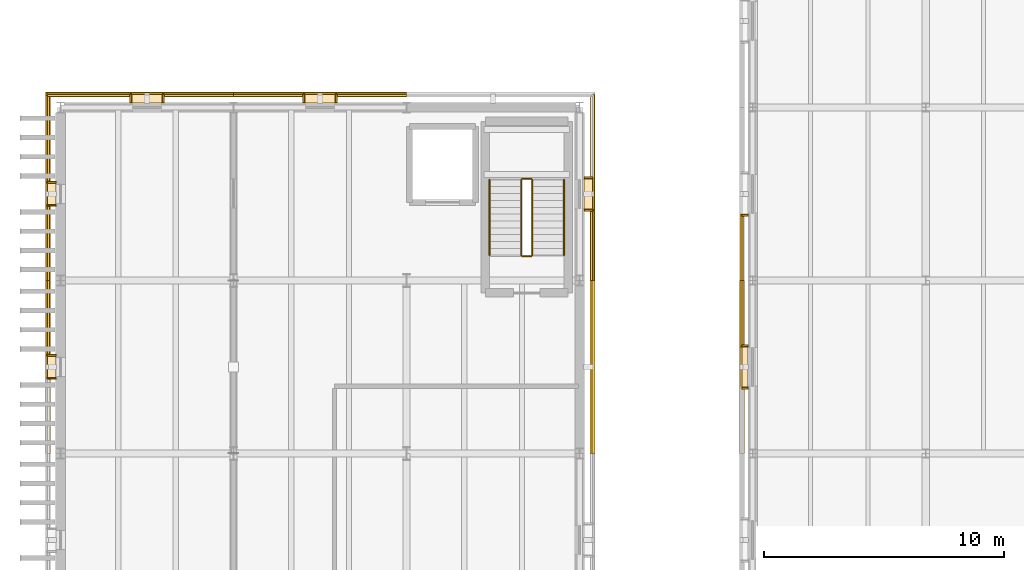
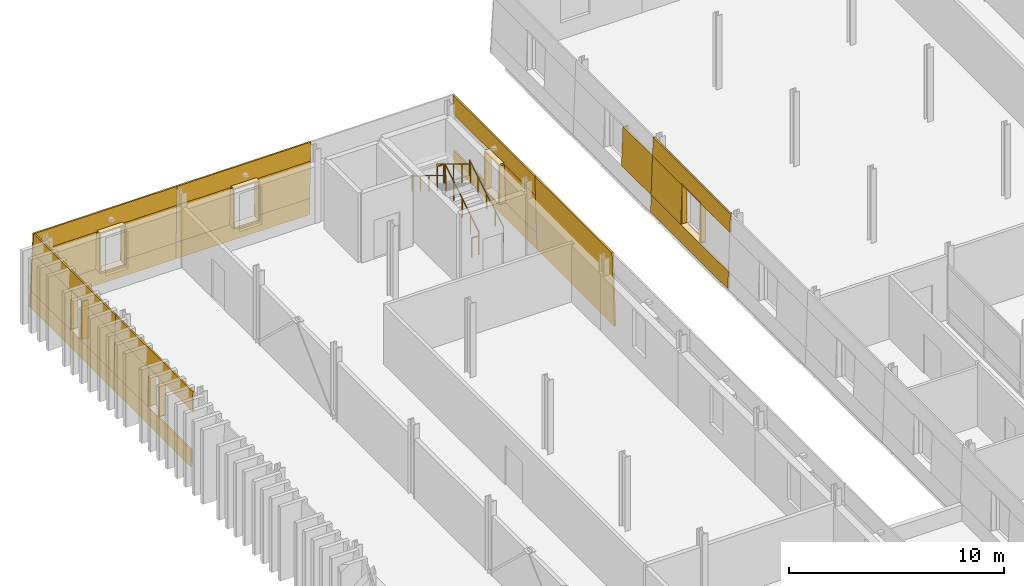
# One storey, part 83 of 91: 48 coverings, 6 railings.
"""IFC4 building model written with IfcOpenShell, lengths in metres."""

from ifc_helpers import new_model, si_unit, direction, frame, origin, origin_2d, place, context, subcontext, project, spatial, polyline, circle, outline, extrude, material, layer, layer_set, type_object, element, save


model = new_model("IFC4")

# Units and contexts
model_context = context("Model", 3, precision=1e-05, world=origin(), true_north=direction((0.0, 1.0)))
body_context = subcontext(model_context, "Body", "Model", "MODEL_VIEW")
ifc_project = project(units=[si_unit("LENGTHUNIT", "METRE"), si_unit("AREAUNIT", "SQUARE_METRE"), si_unit("VOLUMEUNIT", "CUBIC_METRE"), si_unit("PLANEANGLEUNIT", "RADIAN"), si_unit("MASSUNIT", "GRAM", prefix="KILO")], contexts=[model_context])

# Site, building, storey
site_placement = place(None, origin())
site = spatial("IfcSite", under=ifc_project, at=site_placement, CompositionType="ELEMENT")
building_placement = place(site_placement, origin())
building = spatial("IfcBuilding", under=site, at=building_placement, Name="Narikvali Park Central Library", CompositionType="ELEMENT")
storey_placement = place(building_placement, frame((0.0, 0.0, 14.39990234375)))
storey = spatial("IfcBuildingStorey", under=building, at=storey_placement, Name="L03", CompositionType="ELEMENT", Elevation=14.39990234375)

# Coverings
ifc_material_1 = material(Name="White Honed Limestone Cladding", Category="masonry")
ifc_layer_1 = layer(ifc_material_1, 0.0849609375, Name="White Honed Limestone Cladding")
ifc_layer_set_1 = layer_set([ifc_layer_1], Name="White Honed Limestone Cladding")
covering_type_1 = type_object("IfcCoveringType", Name="Battered White Limestone Facade Cladding Panel", PredefinedType="CLADDING", material=ifc_layer_set_1)
covering_1_placement = place(storey_placement, frame((28.277099609375, 103.56005859375, 0.9501953125), z_axis=(-0.999431408105, 0.0, 0.033717361898), x_axis=(0.0, -1.0, 0.0)))
element("IfcCovering", 1, at=covering_1_placement, inside=storey, type_object=covering_type_1, Name="V4 L03 W Battered Limestone Jamb Pier R B02", PredefinedType="CLADDING", context=body_context, shape_type="SweptSolid", body=[
    extrude(outline(polyline([(0.0, 0.0), (2.760009765625, 0.0), (2.760009765625, 2.2012027579225295), (0.0, 2.2012027579225295), (0.0, 0.0)])), origin(), (0.0, 0.0, -1.0), 0.0849609375),
])
covering_2_placement = place(storey_placement, frame((28.2451171875, 100.800048828125, 0.0), z_axis=(-0.999434023877, 0.0, 0.033639737186), x_axis=(0.0, -1.0, 0.0)))
element("IfcCovering", 2, at=covering_2_placement, inside=storey, type_object=covering_type_1, Name="V4 L03 W Battered Limestone Spandrel B03", PredefinedType="CLADDING", context=body_context, shape_type="SweptSolid", body=[
    extrude(outline(polyline([(0.0, 0.0), (7.199951171875, 0.0), (7.199951171875, 0.9507334049069504), (0.0, 0.9507334049069504), (0.0, 0.0)])), origin(), (0.0, 0.0, -1.0), 0.0849609375),
])
covering_3_placement = place(storey_placement, frame((28.351318359375, 100.800048828125, 3.150146484375), z_axis=(-0.999439995942, 0.0, 0.033461836646), x_axis=(0.0, -1.0, 0.0)))
element("IfcCovering", 3, at=covering_3_placement, inside=storey, type_object=covering_type_1, Name="V4 L03 W Battered Limestone Lintel B03", PredefinedType="CLADDING", context=body_context, shape_type="SweptSolid", body=[
    extrude(outline(polyline([(0.0, 0.0), (7.199951171875, 0.0), (7.199951171875, 1.0506371892145967), (0.0, 1.0506371892145967), (0.0, 0.0)])), origin(), (0.0, 0.0, -1.0), 0.0849609375),
])
covering_4_placement = place(storey_placement, frame((28.277099609375, 100.800048828125, 0.9501953125), z_axis=(-0.999431408105, 0.0, 0.033717361898), x_axis=(0.0, -1.0, 0.0)))
element("IfcCovering", 4, at=covering_4_placement, inside=storey, type_object=covering_type_1, Name="V4 L03 W Battered Limestone Jamb Pier L B03", PredefinedType="CLADDING", context=body_context, shape_type="SweptSolid", body=[
    extrude(outline(polyline([(0.0, 0.0), (2.760009765625, 0.0), (2.760009765625, 2.2012027579225295), (0.0, 2.2012027579225295), (0.0, 0.0)])), origin(), (0.0, 0.0, -1.0), 0.0849609375),
])
covering_5_placement = place(storey_placement, frame((22.2314453125, 93.60009765625, 0.0), z_axis=(0.999597941913, 0.0, 0.028354091819), x_axis=(0.0, 1.0, 0.0)))
element("IfcCovering", 5, at=covering_5_placement, inside=storey, type_object=covering_type_1, Name="V5 L03 E Battered Limestone Panel B10", PredefinedType="CLADDING", context=body_context, shape_type="SweptSolid", body=[
    extrude(outline(polyline([(0.0, 0.0), (7.199951171875, 0.0), (7.199951171875, 4.201884714229124), (0.0, 4.201884714229124), (0.0, 0.0)])), origin(), (0.0, 0.0, -1.0), 0.0849609375),
])
covering_6_placement = place(storey_placement, frame((22.2314453125, 100.800048828125, 0.0), z_axis=(0.999600837605, 0.0, 0.028251822234), x_axis=(0.0, 1.0, 0.0)))
element("IfcCovering", 6, at=covering_6_placement, inside=storey, type_object=covering_type_1, Name="V5 L03 E Battered Limestone Spandrel B11", PredefinedType="CLADDING", context=body_context, shape_type="SweptSolid", body=[
    extrude(outline(polyline([(0.0, 0.0), (7.746337890625, 0.0), (7.719482421875, 0.9505747461924048), (0.0, 0.9505747461924048), (0.0, 0.0)])), origin(), (0.0, 0.0, -1.0), 0.0849609375),
])
covering_7_placement = place(storey_placement, frame((22.1435546875, 100.800048828125, 3.10009765625), z_axis=(0.999596777432, 0.0, 0.028395114849), x_axis=(0.0, 1.0, 0.0)))
element("IfcCovering", 7, at=covering_7_placement, inside=storey, type_object=covering_type_1, Name="V5 L03 E Battered Limestone Lintel B11", PredefinedType="CLADDING", context=body_context, shape_type="SweptSolid", body=[
    extrude(outline(polyline([(0.0, 0.0), (7.658447265625, 0.0), (7.627197265625, 1.1005414193871776), (0.0, 1.1005414193871776), (0.0, 0.0)])), origin(), (0.0, 0.0, -1.0), 0.0849609375),
])
covering_8_placement = place(storey_placement, frame((22.20458984375, 100.800048828125, 0.9501953125), z_axis=(0.99959725493, 0.0, 0.028378300447), x_axis=(0.0, 1.0, 0.0)))
element("IfcCovering", 8, at=covering_8_placement, inside=storey, type_object=covering_type_1, Name="V5 L03 E Battered Limestone Jamb Pier L B11", PredefinedType="CLADDING", context=body_context, shape_type="SweptSolid", body=[
    extrude(outline(polyline([(0.0, 0.0), (2.9599609375, 0.0), (2.9599609375, 2.150768555182125), (0.0, 2.150768555182125), (0.0, 0.0)])), origin(), (0.0, 0.0, -1.0), 0.0849609375),
])
covering_9_placement = place(storey_placement, frame((14.39990234375, 108.631591796875, 0.0), z_axis=(0.0, 0.999593551562, 0.028508449184), x_axis=(-1.0, 0.0, 0.0)))
element("IfcCovering", 9, at=covering_9_placement, inside=storey, type_object=covering_type_1, Name="V5 L03 N Battered Limestone Spandrel B02", PredefinedType="CLADDING", context=body_context, shape_type="SweptSolid", body=[
    extrude(outline(polyline([(0.0, 0.0), (7.199951171875, 0.0), (7.199951171875, 0.9505816749365887), (0.0, 0.9505816749365887), (0.0, 0.0)])), origin(), (0.0, 0.0, -1.0), 0.0849609375),
])
covering_10_placement = place(storey_placement, frame((14.39990234375, 108.54345703125, 3.10009765625), z_axis=(0.0, 0.999596777432, 0.028395114849), x_axis=(-1.0, 0.0, 0.0)))
element("IfcCovering", 10, at=covering_10_placement, inside=storey, type_object=covering_type_1, Name="V5 L03 N Battered Limestone Lintel B02", PredefinedType="CLADDING", context=body_context, shape_type="SweptSolid", body=[
    extrude(outline(polyline([(0.0, 0.0), (7.199951171875, 0.0), (7.199951171875, 1.1005414193871774), (0.0, 1.1005414193871774), (0.0, 0.0)])), origin(), (0.0, 0.0, -1.0), 0.0849609375),
])
for number, where, z_axis, x_axis, name in (
    (11, (14.39990234375, 108.6044921875, 0.9501953125), (0.0, 0.99959725493, 0.028378300447), (-1.0, 0.0, 0.0), "V5 L03 N Battered Limestone Jamb Pier L B02"),
    (12, (10.159912109375, 108.6044921875, 0.9501953125), (0.0, 0.99959725493, 0.028378300447), (-1.0, 0.0, 0.0), "V5 L03 N Battered Limestone Jamb Pier R B02"),
):
    element("IfcCovering", number, at=place(storey_placement, frame(where, z_axis=z_axis, x_axis=x_axis)), inside=storey, type_object=covering_type_1, Name=name, PredefinedType="CLADDING", context=body_context, shape_type="SweptSolid", body=[
        extrude(outline(polyline([(0.0, 0.0), (2.9599609375, 0.0), (2.9599609375, 2.150768555182125), (0.0, 2.150768555182125), (0.0, 0.0)])), origin(), (0.0, 0.0, -1.0), 0.0849609375),
    ])
covering_11_placement = place(storey_placement, frame((7.199951171875, 108.631591796875, 0.0), z_axis=(0.0, 0.999593551562, 0.028508449184), x_axis=(-1.0, 0.0, 0.0)))
element("IfcCovering", 13, at=covering_11_placement, inside=storey, type_object=covering_type_1, Name="V5 L03 N Battered Limestone Spandrel B03", PredefinedType="CLADDING", context=body_context, shape_type="SweptSolid", body=[
    extrude(outline(polyline([(0.0, 0.0), (7.83154296875, 0.0), (7.804443359375, 0.9505816749365887), (0.0, 0.9505816749365887), (0.0, 0.0)])), origin(), (0.0, 0.0, -1.0), 0.0849609375),
])
covering_12_placement = place(storey_placement, frame((7.199951171875, 108.54345703125, 3.10009765625), z_axis=(0.0, 0.999596777432, 0.028395114849), x_axis=(-1.0, 0.0, 0.0)))
element("IfcCovering", 14, at=covering_12_placement, inside=storey, type_object=covering_type_1, Name="V5 L03 N Battered Limestone Lintel B03", PredefinedType="CLADDING", context=body_context, shape_type="SweptSolid", body=[
    extrude(outline(polyline([(0.0, 0.0), (7.743408203125, 0.0), (7.712158203125, 1.1005414193871774), (0.0, 1.1005414193871774), (0.0, 0.0)])), origin(), (0.0, 0.0, -1.0), 0.0849609375),
])
covering_13_placement = place(storey_placement, frame((7.199951171875, 108.6044921875, 0.9501953125), z_axis=(0.0, 0.99959725493, 0.028378300447), x_axis=(-1.0, 0.0, 0.0)))
element("IfcCovering", 15, at=covering_13_placement, inside=storey, type_object=covering_type_1, Name="V5 L03 N Battered Limestone Jamb Pier L B03", PredefinedType="CLADDING", context=body_context, shape_type="SweptSolid", body=[
    extrude(outline(polyline([(0.0, 0.0), (2.9599609375, 0.0), (2.9599609375, 2.150768555182125), (0.0, 2.150768555182125), (0.0, 0.0)])), origin(), (0.0, 0.0, -1.0), 0.0849609375),
])
covering_14_placement = place(storey_placement, frame((2.9599609375, 108.6044921875, 0.9501953125), z_axis=(0.0, 0.99959725493, 0.028378300447), x_axis=(-1.0, 0.0, 0.0)))
element("IfcCovering", 16, at=covering_14_placement, inside=storey, type_object=covering_type_1, Name="V5 L03 N Battered Limestone Jamb Pier R B03", PredefinedType="CLADDING", context=body_context, shape_type="SweptSolid", body=[
    extrude(outline(polyline([(0.0, 0.0), (3.564453125, 0.0), (3.50341796875, 2.150768555182125), (0.0, 2.150768555182125), (0.0, 0.0)])), origin(), (0.0, 0.0, -1.0), 0.0849609375),
])
covering_15_placement = place(storey_placement, frame((-0.631591796875, 108.54638671875, 0.0), z_axis=(-0.999593551562, 0.0, 0.028508449184), x_axis=(0.0, -1.0, 0.0)))
element("IfcCovering", 17, at=covering_15_placement, inside=storey, type_object=covering_type_1, Name="V5 L03 W Battered Limestone Spandrel B01", PredefinedType="CLADDING", context=body_context, shape_type="SweptSolid", body=[
    extrude(outline(polyline([(0.0, 0.0), (7.746337890625, 0.0), (7.746337890625, 0.9505816749365887), (0.02685546875, 0.9505816749365887), (0.0, 0.0)])), origin(), (0.0, 0.0, -1.0), 0.0849609375),
])
covering_16_placement = place(storey_placement, frame((-0.54345703125, 108.45849609375, 3.10009765625), z_axis=(-0.999596777432, 0.0, 0.028395114849), x_axis=(0.0, -1.0, 0.0)))
element("IfcCovering", 18, at=covering_16_placement, inside=storey, type_object=covering_type_1, Name="V5 L03 W Battered Limestone Lintel B01", PredefinedType="CLADDING", context=body_context, shape_type="SweptSolid", body=[
    extrude(outline(polyline([(0.0, 0.0), (7.658447265625, 0.0), (7.658447265625, 1.1005414193871776), (0.03125, 1.1005414193871776), (0.0, 0.0)])), origin(), (0.0, 0.0, -1.0), 0.0849609375),
])
covering_17_placement = place(storey_placement, frame((-0.6044921875, 108.51953125, 0.9501953125), z_axis=(-0.99959725493, 0.0, 0.028378300447), x_axis=(0.0, -1.0, 0.0)))
element("IfcCovering", 19, at=covering_17_placement, inside=storey, type_object=covering_type_1, Name="V5 L03 W Battered Limestone Jamb Pier L B01", PredefinedType="CLADDING", context=body_context, shape_type="SweptSolid", body=[
    extrude(outline(polyline([(0.0, 0.0), (3.679443359375, 0.0), (3.679443359375, 2.150768555182125), (0.06103515625, 2.150768555182125), (0.0, 0.0)])), origin(), (0.0, 0.0, -1.0), 0.0849609375),
])
covering_18_placement = place(storey_placement, frame((-0.6044921875, 103.9599609375, 0.9501953125), z_axis=(-0.99959725493, 0.0, 0.028378300447), x_axis=(0.0, -1.0, 0.0)))
element("IfcCovering", 20, at=covering_18_placement, inside=storey, type_object=covering_type_1, Name="V5 L03 W Battered Limestone Jamb Pier R B01", PredefinedType="CLADDING", context=body_context, shape_type="SweptSolid", body=[
    extrude(outline(polyline([(0.0, 0.0), (3.159912109375, 0.0), (3.159912109375, 2.150768555182125), (0.0, 2.150768555182125), (0.0, 0.0)])), origin(), (0.0, 0.0, -1.0), 0.0849609375),
])
covering_19_placement = place(storey_placement, frame((-0.631591796875, 100.800048828125, 0.0), z_axis=(-0.999593551562, 0.0, 0.028508449184), x_axis=(0.0, -1.0, 0.0)))
element("IfcCovering", 21, at=covering_19_placement, inside=storey, type_object=covering_type_1, Name="V5 L03 W Battered Limestone Spandrel B02", PredefinedType="CLADDING", context=body_context, shape_type="SweptSolid", body=[
    extrude(outline(polyline([(0.0, 0.0), (7.199951171875, 0.0), (7.199951171875, 0.9505816749365887), (0.0, 0.9505816749365887), (0.0, 0.0)])), origin(), (0.0, 0.0, -1.0), 0.0849609375),
])
covering_20_placement = place(storey_placement, frame((-0.54345703125, 100.800048828125, 3.10009765625), z_axis=(-0.999596777432, 0.0, 0.028395114849), x_axis=(0.0, -1.0, 0.0)))
element("IfcCovering", 22, at=covering_20_placement, inside=storey, type_object=covering_type_1, Name="V5 L03 W Battered Limestone Lintel B02", PredefinedType="CLADDING", context=body_context, shape_type="SweptSolid", body=[
    extrude(outline(polyline([(0.0, 0.0), (7.199951171875, 0.0), (7.199951171875, 1.1005414193871774), (0.0, 1.1005414193871774), (0.0, 0.0)])), origin(), (0.0, 0.0, -1.0), 0.0849609375),
])
covering_21_placement = place(storey_placement, frame((-0.6044921875, 100.800048828125, 0.9501953125), z_axis=(-0.99959725493, 0.0, 0.028378300447), x_axis=(0.0, -1.0, 0.0)))
element("IfcCovering", 23, at=covering_21_placement, inside=storey, type_object=covering_type_1, Name="V5 L03 W Battered Limestone Jamb Pier L B02", PredefinedType="CLADDING", context=body_context, shape_type="SweptSolid", body=[
    extrude(outline(polyline([(0.0, 0.0), (3.16015625, 0.0), (3.16015625, 2.150768555182125), (0.0, 2.150768555182125), (0.0, 0.0)])), origin(), (0.0, 0.0, -1.0), 0.0849609375),
])
ifc_layer_2 = layer(ifc_material_1, 0.080078125, Name="White Honed Limestone Cladding")
ifc_layer_set_2 = layer_set([ifc_layer_2], Name="White Honed Limestone Cladding")
covering_type_2 = type_object("IfcCoveringType", Name="Deep Carved White Limestone Window Reveal", PredefinedType="CLADDING", material=ifc_layer_set_2)
covering_22_placement = place(storey_placement, frame((0.0, 0.0, 0.9501953125)))
element("IfcCovering", 24, at=covering_22_placement, inside=storey, type_object=covering_type_2, Name="Deep Stone Reveal Jamb R V4-RVL-L03-W-B02", PredefinedType="CLADDING", context=body_context, shape_type="SweptSolid", body=[
    extrude(outline(polyline([(28.614990234375, 103.56005859375), (28.614990234375, 103.47998046875), (28.351318359375, 103.47998046875), (28.351318359375, 103.56005859375), (28.614990234375, 103.56005859375)])), origin(), (0.0, 0.0, 1.0), 2.199951171875),
])
covering_23_placement = place(storey_placement, frame((0.0, 0.0, 3.150146484375)))
element("IfcCovering", 25, at=covering_23_placement, inside=storey, type_object=covering_type_2, Name="Deep Stone Reveal Head V4-RVL-L03-W-B03", PredefinedType="CLADDING", context=body_context, shape_type="SweptSolid", body=[
    extrude(outline(polyline([(28.614990234375, 98.080078125), (28.614990234375, 96.320068359375), (28.351318359375, 96.320068359375), (28.351318359375, 98.080078125), (28.614990234375, 98.080078125)])), origin(), (0.0, 0.0, 1.0), 0.079833984375),
])
covering_24_placement = place(storey_placement, frame((0.0, 0.0, 0.8701171875)))
element("IfcCovering", 26, at=covering_24_placement, inside=storey, type_object=covering_type_2, Name="Deep Stone Reveal Sill V4-RVL-L03-W-B03", PredefinedType="CLADDING", context=body_context, shape_type="SweptSolid", body=[
    extrude(outline(polyline([(28.614990234375, 98.080078125), (28.614990234375, 96.320068359375), (28.277099609375, 96.320068359375), (28.277099609375, 98.080078125), (28.614990234375, 98.080078125)])), origin(), (0.0, 0.0, 1.0), 0.080078125),
])
covering_25_placement = place(storey_placement, frame((0.0, 0.0, 0.9501953125)))
element("IfcCovering", 27, at=covering_25_placement, inside=storey, type_object=covering_type_2, Name="Deep Stone Reveal Jamb L V4-RVL-L03-W-B03", PredefinedType="CLADDING", context=body_context, shape_type="SweptSolid", body=[
    extrude(outline(polyline([(28.614990234375, 98.1201171875), (28.614990234375, 98.0400390625), (28.351318359375, 98.0400390625), (28.351318359375, 98.1201171875), (28.614990234375, 98.1201171875)])), origin(), (0.0, 0.0, 1.0), 2.199951171875),
])
covering_26_placement = place(storey_placement, frame((0.0, 0.0, 0.9501953125)))
element("IfcCovering", 28, at=covering_26_placement, inside=storey, type_object=covering_type_2, Name="Deep Stone Reveal Jamb R V4-RVL-L03-W-B03", PredefinedType="CLADDING", context=body_context, shape_type="SweptSolid", body=[
    extrude(outline(polyline([(28.614990234375, 96.360107421875), (28.614990234375, 96.280029296875), (28.351318359375, 96.280029296875), (28.351318359375, 96.360107421875), (28.614990234375, 96.360107421875)])), origin(), (0.0, 0.0, 1.0), 2.199951171875),
])
covering_27_placement = place(storey_placement, frame((0.0, 0.0, 3.10009765625)))
element("IfcCovering", 29, at=covering_27_placement, inside=storey, type_object=covering_type_2, Name="Deep Stone Reveal Head V5-RVL-L03-E-B11", PredefinedType="CLADDING", context=body_context, shape_type="SweptSolid", body=[
    extrude(outline(polyline([(21.784912109375, 103.719970703125), (21.784912109375, 105.080078125), (22.1435546875, 105.080078125), (22.1435546875, 103.719970703125), (21.784912109375, 103.719970703125)])), origin(), (0.0, 0.0, 1.0), 0.080078125),
])
covering_28_placement = place(storey_placement, frame((0.0, 0.0, 0.8701171875)))
element("IfcCovering", 30, at=covering_28_placement, inside=storey, type_object=covering_type_2, Name="Deep Stone Reveal Sill V5-RVL-L03-E-B11", PredefinedType="CLADDING", context=body_context, shape_type="SweptSolid", body=[
    extrude(outline(polyline([(21.784912109375, 103.719970703125), (21.784912109375, 105.080078125), (22.20458984375, 105.080078125), (22.20458984375, 103.719970703125), (21.784912109375, 103.719970703125)])), origin(), (0.0, 0.0, 1.0), 0.080078125),
])
covering_29_placement = place(storey_placement, frame((0.0, 0.0, 0.9501953125)))
element("IfcCovering", 31, at=covering_29_placement, inside=storey, type_object=covering_type_2, Name="Deep Stone Reveal Jamb L V5-RVL-L03-E-B11", PredefinedType="CLADDING", context=body_context, shape_type="SweptSolid", body=[
    extrude(outline(polyline([(21.784912109375, 103.679931640625), (21.784912109375, 103.760009765625), (22.1435546875, 103.760009765625), (22.1435546875, 103.679931640625), (21.784912109375, 103.679931640625)])), origin(), (0.0, 0.0, 1.0), 2.14990234375),
])
covering_30_placement = place(storey_placement, frame((0.0, 0.0, 0.9501953125)))
element("IfcCovering", 32, at=covering_30_placement, inside=storey, type_object=covering_type_2, Name="Deep Stone Reveal Jamb R V5-RVL-L03-E-B11", PredefinedType="CLADDING", context=body_context, shape_type="SweptSolid", body=[
    extrude(outline(polyline([(21.784912109375, 105.0400390625), (21.784912109375, 105.1201171875), (22.1435546875, 105.1201171875), (22.1435546875, 105.0400390625), (21.784912109375, 105.0400390625)])), origin(), (0.0, 0.0, 1.0), 2.14990234375),
])
covering_31_placement = place(storey_placement, frame((0.0, 0.0, 3.10009765625)))
element("IfcCovering", 33, at=covering_31_placement, inside=storey, type_object=covering_type_2, Name="Deep Stone Reveal Head V5-RVL-L03-N-B02", PredefinedType="CLADDING", context=body_context, shape_type="SweptSolid", body=[
    extrude(outline(polyline([(11.47998046875, 108.18505859375), (10.1201171875, 108.18505859375), (10.1201171875, 108.54345703125), (11.47998046875, 108.54345703125), (11.47998046875, 108.18505859375)])), origin(), (0.0, 0.0, 1.0), 0.080078125),
])
covering_32_placement = place(storey_placement, frame((0.0, 0.0, 0.8701171875)))
element("IfcCovering", 34, at=covering_32_placement, inside=storey, type_object=covering_type_2, Name="Deep Stone Reveal Sill V5-RVL-L03-N-B02", PredefinedType="CLADDING", context=body_context, shape_type="SweptSolid", body=[
    extrude(outline(polyline([(11.47998046875, 108.18505859375), (10.1201171875, 108.18505859375), (10.1201171875, 108.6044921875), (11.47998046875, 108.6044921875), (11.47998046875, 108.18505859375)])), origin(), (0.0, 0.0, 1.0), 0.080078125),
])
covering_33_placement = place(storey_placement, frame((0.0, 0.0, 0.9501953125)))
element("IfcCovering", 35, at=covering_33_placement, inside=storey, type_object=covering_type_2, Name="Deep Stone Reveal Jamb L V5-RVL-L03-N-B02", PredefinedType="CLADDING", context=body_context, shape_type="SweptSolid", body=[
    extrude(outline(polyline([(11.52001953125, 108.18505859375), (11.43994140625, 108.18505859375), (11.43994140625, 108.54345703125), (11.52001953125, 108.54345703125), (11.52001953125, 108.18505859375)])), origin(), (0.0, 0.0, 1.0), 2.14990234375),
])
covering_34_placement = place(storey_placement, frame((0.0, 0.0, 0.9501953125)))
element("IfcCovering", 36, at=covering_34_placement, inside=storey, type_object=covering_type_2, Name="Deep Stone Reveal Jamb R V5-RVL-L03-N-B02", PredefinedType="CLADDING", context=body_context, shape_type="SweptSolid", body=[
    extrude(outline(polyline([(10.159912109375, 108.18505859375), (10.080078125, 108.18505859375), (10.080078125, 108.54345703125), (10.159912109375, 108.54345703125), (10.159912109375, 108.18505859375)])), origin(), (0.0, 0.0, 1.0), 2.14990234375),
])
covering_35_placement = place(storey_placement, frame((0.0, 0.0, 3.10009765625)))
element("IfcCovering", 37, at=covering_35_placement, inside=storey, type_object=covering_type_2, Name="Deep Stone Reveal Head V5-RVL-L03-N-B03", PredefinedType="CLADDING", context=body_context, shape_type="SweptSolid", body=[
    extrude(outline(polyline([(4.280029296875, 108.18505859375), (2.919921875, 108.18505859375), (2.919921875, 108.54345703125), (4.280029296875, 108.54345703125), (4.280029296875, 108.18505859375)])), origin(), (0.0, 0.0, 1.0), 0.080078125),
])
covering_36_placement = place(storey_placement, frame((0.0, 0.0, 0.8701171875)))
element("IfcCovering", 38, at=covering_36_placement, inside=storey, type_object=covering_type_2, Name="Deep Stone Reveal Sill V5-RVL-L03-N-B03", PredefinedType="CLADDING", context=body_context, shape_type="SweptSolid", body=[
    extrude(outline(polyline([(4.280029296875, 108.18505859375), (2.919921875, 108.18505859375), (2.919921875, 108.6044921875), (4.280029296875, 108.6044921875), (4.280029296875, 108.18505859375)])), origin(), (0.0, 0.0, 1.0), 0.080078125),
])
covering_37_placement = place(storey_placement, frame((0.0, 0.0, 0.9501953125)))
element("IfcCovering", 39, at=covering_37_placement, inside=storey, type_object=covering_type_2, Name="Deep Stone Reveal Jamb L V5-RVL-L03-N-B03", PredefinedType="CLADDING", context=body_context, shape_type="SweptSolid", body=[
    extrude(outline(polyline([(4.320068359375, 108.18505859375), (4.239990234375, 108.18505859375), (4.239990234375, 108.54345703125), (4.320068359375, 108.54345703125), (4.320068359375, 108.18505859375)])), origin(), (0.0, 0.0, 1.0), 2.14990234375),
])
covering_38_placement = place(storey_placement, frame((0.0, 0.0, 0.9501953125)))
element("IfcCovering", 40, at=covering_38_placement, inside=storey, type_object=covering_type_2, Name="Deep Stone Reveal Jamb R V5-RVL-L03-N-B03", PredefinedType="CLADDING", context=body_context, shape_type="SweptSolid", body=[
    extrude(outline(polyline([(2.9599609375, 108.18505859375), (2.8798828125, 108.18505859375), (2.8798828125, 108.54345703125), (2.9599609375, 108.54345703125), (2.9599609375, 108.18505859375)])), origin(), (0.0, 0.0, 1.0), 2.14990234375),
])
covering_39_placement = place(storey_placement, frame((0.0, 0.0, 3.10009765625)))
element("IfcCovering", 41, at=covering_39_placement, inside=storey, type_object=covering_type_2, Name="Deep Stone Reveal Head V5-RVL-L03-W-B01", PredefinedType="CLADDING", context=body_context, shape_type="SweptSolid", body=[
    extrude(outline(polyline([(-0.18505859375, 104.8798828125), (-0.18505859375, 103.919921875), (-0.54345703125, 103.919921875), (-0.54345703125, 104.8798828125), (-0.18505859375, 104.8798828125)])), origin(), (0.0, 0.0, 1.0), 0.080078125),
])
covering_40_placement = place(storey_placement, frame((0.0, 0.0, 0.8701171875)))
element("IfcCovering", 42, at=covering_40_placement, inside=storey, type_object=covering_type_2, Name="Deep Stone Reveal Sill V5-RVL-L03-W-B01", PredefinedType="CLADDING", context=body_context, shape_type="SweptSolid", body=[
    extrude(outline(polyline([(-0.18505859375, 104.8798828125), (-0.18505859375, 103.919921875), (-0.6044921875, 103.919921875), (-0.6044921875, 104.8798828125), (-0.18505859375, 104.8798828125)])), origin(), (0.0, 0.0, 1.0), 0.080078125),
])
covering_41_placement = place(storey_placement, frame((0.0, 0.0, 0.9501953125)))
element("IfcCovering", 43, at=covering_41_placement, inside=storey, type_object=covering_type_2, Name="Deep Stone Reveal Jamb L V5-RVL-L03-W-B01", PredefinedType="CLADDING", context=body_context, shape_type="SweptSolid", body=[
    extrude(outline(polyline([(-0.18505859375, 104.919921875), (-0.18505859375, 104.840087890625), (-0.54345703125, 104.840087890625), (-0.54345703125, 104.919921875), (-0.18505859375, 104.919921875)])), origin(), (0.0, 0.0, 1.0), 2.14990234375),
])
covering_42_placement = place(storey_placement, frame((0.0, 0.0, 0.9501953125)))
element("IfcCovering", 44, at=covering_42_placement, inside=storey, type_object=covering_type_2, Name="Deep Stone Reveal Jamb R V5-RVL-L03-W-B01", PredefinedType="CLADDING", context=body_context, shape_type="SweptSolid", body=[
    extrude(outline(polyline([(-0.18505859375, 103.9599609375), (-0.18505859375, 103.8798828125), (-0.54345703125, 103.8798828125), (-0.54345703125, 103.9599609375), (-0.18505859375, 103.9599609375)])), origin(), (0.0, 0.0, 1.0), 2.14990234375),
])
covering_43_placement = place(storey_placement, frame((0.0, 0.0, 3.10009765625)))
element("IfcCovering", 45, at=covering_43_placement, inside=storey, type_object=covering_type_2, Name="Deep Stone Reveal Head V5-RVL-L03-W-B02", PredefinedType="CLADDING", context=body_context, shape_type="SweptSolid", body=[
    extrude(outline(polyline([(-0.18505859375, 97.679931640625), (-0.18505859375, 96.719970703125), (-0.54345703125, 96.719970703125), (-0.54345703125, 97.679931640625), (-0.18505859375, 97.679931640625)])), origin(), (0.0, 0.0, 1.0), 0.080078125),
])
covering_44_placement = place(storey_placement, frame((0.0, 0.0, 0.8701171875)))
element("IfcCovering", 46, at=covering_44_placement, inside=storey, type_object=covering_type_2, Name="Deep Stone Reveal Sill V5-RVL-L03-W-B02", PredefinedType="CLADDING", context=body_context, shape_type="SweptSolid", body=[
    extrude(outline(polyline([(-0.18505859375, 97.679931640625), (-0.18505859375, 96.719970703125), (-0.6044921875, 96.719970703125), (-0.6044921875, 97.679931640625), (-0.18505859375, 97.679931640625)])), origin(), (0.0, 0.0, 1.0), 0.080078125),
])
covering_45_placement = place(storey_placement, frame((0.0, 0.0, 0.9501953125)))
element("IfcCovering", 47, at=covering_45_placement, inside=storey, type_object=covering_type_2, Name="Deep Stone Reveal Jamb L V5-RVL-L03-W-B02", PredefinedType="CLADDING", context=body_context, shape_type="SweptSolid", body=[
    extrude(outline(polyline([(-0.18505859375, 97.719970703125), (-0.18505859375, 97.639892578125), (-0.54345703125, 97.639892578125), (-0.54345703125, 97.719970703125), (-0.18505859375, 97.719970703125)])), origin(), (0.0, 0.0, 1.0), 2.14990234375),
])
covering_46_placement = place(storey_placement, frame((0.0, 0.0, 0.9501953125)))
element("IfcCovering", 48, at=covering_46_placement, inside=storey, type_object=covering_type_2, Name="Deep Stone Reveal Jamb R V5-RVL-L03-W-B02", PredefinedType="CLADDING", context=body_context, shape_type="SweptSolid", body=[
    extrude(outline(polyline([(-0.18505859375, 96.760009765625), (-0.18505859375, 96.679931640625), (-0.54345703125, 96.679931640625), (-0.54345703125, 96.760009765625), (-0.18505859375, 96.760009765625)])), origin(), (0.0, 0.0, 1.0), 2.14990234375),
])

# Railings
ifc_material_2 = material(Name="Brushed Stainless Steel S355", Category="steel")
ifc_layer_3 = layer(ifc_material_2, 0.044921875, Name="Brushed Stainless Steel S355")
ifc_layer_set_3 = layer_set([ifc_layer_3], Name="Brushed Stainless Steel S355")
railing_type_1 = type_object("IfcRailingType", Name="Stair Tubular Steel Handrail 900", PredefinedType="HANDRAIL", material=ifc_layer_set_3)
railing_1_placement = place(storey_placement, frame((20.949951171875, 101.85009765625, 0.175048828125)))
element("IfcRailing", 49, at=railing_1_placement, inside=storey, type_object=railing_type_1, Name="L03 ST-10 stair handrail 1", PredefinedType="HANDRAIL", context=body_context, shape_type="SweptSolid", body=[
    extrude(circle(Radius=0.02392578125, at=origin_2d()), frame((0.0, 0.0, 0.8759765625), z_axis=(0.0, 0.852166034122, 0.523271488128), x_axis=(-1.0, 0.0, 0.0)), (0.0, 0.0, 1.0), 3.678955078125),
    extrude(circle(Radius=0.02099609375, at=origin_2d()), origin(), (0.0, 0.0, 1.0), 0.851806640625),
    extrude(circle(Radius=0.02099609375, at=origin_2d()), frame((0.0, 0.78369140625, 0.481201171875)), (0.0, 0.0, 1.0), 0.851806640625),
    extrude(circle(Radius=0.02099609375, at=origin_2d()), frame((0.0, 1.5673828125, 0.96240234375)), (0.0, 0.0, 1.0), 0.851806640625),
    extrude(circle(Radius=0.02099609375, at=origin_2d()), frame((0.0, 2.351318359375, 1.44384765625)), (0.0, 0.0, 1.0), 0.851806640625),
    extrude(circle(Radius=0.02099609375, at=origin_2d()), frame((0.0, 3.135009765625, 1.925048828125)), (0.0, 0.0, 1.0), 0.851806640625),
])
railing_2_placement = place(storey_placement, frame((17.85009765625, 104.985107421875, 2.275146484375)))
element("IfcRailing", 50, at=railing_2_placement, inside=storey, type_object=railing_type_1, Name="L03 ST-10 stair handrail 2", PredefinedType="HANDRAIL", context=body_context, shape_type="SweptSolid", body=[
    extrude(circle(Radius=0.02392578125, at=origin_2d()), frame((0.0, 0.0, 0.8759765625), z_axis=(0.0, -0.852166034122, 0.523271488128), x_axis=(1.0, 0.0, 0.0)), (0.0, 0.0, 1.0), 3.678955078125),
    extrude(circle(Radius=0.02099609375, at=origin_2d()), origin(), (0.0, 0.0, 1.0), 0.851806640625),
    extrude(circle(Radius=0.02099609375, at=origin_2d()), frame((0.0, -0.78369140625, 0.481201171875)), (0.0, 0.0, 1.0), 0.851806640625),
    extrude(circle(Radius=0.02099609375, at=origin_2d()), frame((0.0, -1.5673828125, 0.96240234375)), (0.0, 0.0, 1.0), 0.851806640625),
    extrude(circle(Radius=0.02099609375, at=origin_2d()), frame((0.0, -2.351318359375, 1.44384765625)), (0.0, 0.0, 1.0), 0.851806640625),
    extrude(circle(Radius=0.02099609375, at=origin_2d()), frame((0.0, -3.135009765625, 1.925048828125)), (0.0, 0.0, 1.0), 0.851806640625),
])
ifc_material_3 = material(Name="Powder-Coated Steel S275", Category="steel")
ifc_layer_4 = layer(ifc_material_3, 0.050048828125, Name="Powder-Coated Steel S275")
ifc_layer_set_4 = layer_set([ifc_layer_4], Name="Powder-Coated Steel S275")
railing_type_2 = type_object("IfcRailingType", Name="Stair Well Steel Guardrail 1100", PredefinedType="GUARDRAIL", material=ifc_layer_set_4)
railing_3_placement = place(storey_placement, frame((19.6298828125, 101.85009765625, 0.175048828125)))
element("IfcRailing", 51, at=railing_3_placement, inside=storey, type_object=railing_type_2, Name="L03 ST-10 stair guard 1", PredefinedType="GUARDRAIL", context=body_context, shape_type="SweptSolid", body=[
    extrude(circle(Radius=0.02392578125, at=origin_2d()), frame((0.0, 0.0, 1.076171875), z_axis=(0.0, 0.852166034122, 0.523271488128), x_axis=(-1.0, 0.0, 0.0)), (0.0, 0.0, 1.0), 3.678955078125),
    extrude(circle(Radius=0.02099609375, at=origin_2d()), origin(), (0.0, 0.0, 1.0), 1.052001953125),
    extrude(circle(Radius=0.02099609375, at=origin_2d()), frame((0.0, 0.78369140625, 0.481201171875)), (0.0, 0.0, 1.0), 1.052001953125),
    extrude(circle(Radius=0.02099609375, at=origin_2d()), frame((0.0, 1.5673828125, 0.96240234375)), (0.0, 0.0, 1.0), 1.052001953125),
    extrude(circle(Radius=0.02099609375, at=origin_2d()), frame((0.0, 2.351318359375, 1.44384765625)), (0.0, 0.0, 1.0), 1.052001953125),
    extrude(circle(Radius=0.02099609375, at=origin_2d()), frame((0.0, 3.135009765625, 1.925048828125)), (0.0, 0.0, 1.0), 1.052001953125),
])
railing_4_placement = place(storey_placement, frame((19.580078125, 105.034912109375, 2.10009765625)))
element("IfcRailing", 52, at=railing_4_placement, inside=storey, type_object=railing_type_2, Name="L03 ST-10 stair guard 2", PredefinedType="GUARDRAIL", context=body_context, shape_type="SweptSolid", body=[
    extrude(circle(Radius=0.02392578125, at=origin_2d()), frame((0.0, 0.0, 1.076171875), z_axis=(-1.0, 0.0, 0.0), x_axis=(0.0, -1.0, 0.0)), (0.0, 0.0, 1.0), 0.360107421875),
    extrude(circle(Radius=0.02099609375, at=origin_2d()), origin(), (0.0, 0.0, 1.0), 1.052001953125),
    extrude(circle(Radius=0.02099609375, at=origin_2d()), frame((-0.360107421875, 0.0, 0.0)), (0.0, 0.0, 1.0), 1.052001953125),
])
railing_5_placement = place(storey_placement, frame((19.169921875, 104.985107421875, 2.275146484375)))
element("IfcRailing", 53, at=railing_5_placement, inside=storey, type_object=railing_type_2, Name="L03 ST-10 stair guard 3", PredefinedType="GUARDRAIL", context=body_context, shape_type="SweptSolid", body=[
    extrude(circle(Radius=0.02392578125, at=origin_2d()), frame((0.0, 0.0, 1.076171875), z_axis=(0.0, -0.852166034122, 0.523271488128), x_axis=(1.0, 0.0, 0.0)), (0.0, 0.0, 1.0), 3.678955078125),
    extrude(circle(Radius=0.02099609375, at=origin_2d()), origin(), (0.0, 0.0, 1.0), 1.052001953125),
    extrude(circle(Radius=0.02099609375, at=origin_2d()), frame((0.0, -0.78369140625, 0.481201171875)), (0.0, 0.0, 1.0), 1.052001953125),
    extrude(circle(Radius=0.02099609375, at=origin_2d()), frame((0.0, -1.5673828125, 0.96240234375)), (0.0, 0.0, 1.0), 1.052001953125),
    extrude(circle(Radius=0.02099609375, at=origin_2d()), frame((0.0, -2.351318359375, 1.44384765625)), (0.0, 0.0, 1.0), 1.052001953125),
    extrude(circle(Radius=0.02099609375, at=origin_2d()), frame((0.0, -3.135009765625, 1.925048828125)), (0.0, 0.0, 1.0), 1.052001953125),
])
railing_6_placement = place(storey_placement, frame((19.580078125, 101.800048828125, 0.0)))
element("IfcRailing", 54, at=railing_6_placement, inside=storey, type_object=railing_type_2, Name="L03 ST-10 stair guard 4", PredefinedType="GUARDRAIL", context=body_context, shape_type="SweptSolid", body=[
    extrude(circle(Radius=0.02392578125, at=origin_2d()), frame((0.0, 0.0, 1.076171875), z_axis=(-1.0, 0.0, 0.0), x_axis=(0.0, -1.0, 0.0)), (0.0, 0.0, 1.0), 0.360107421875),
    extrude(circle(Radius=0.02099609375, at=origin_2d()), origin(), (0.0, 0.0, 1.0), 1.052001953125),
    extrude(circle(Radius=0.02099609375, at=origin_2d()), frame((-0.360107421875, 0.0, 0.0)), (0.0, 0.0, 1.0), 1.052001953125),
])

save(model, "model.ifc")
